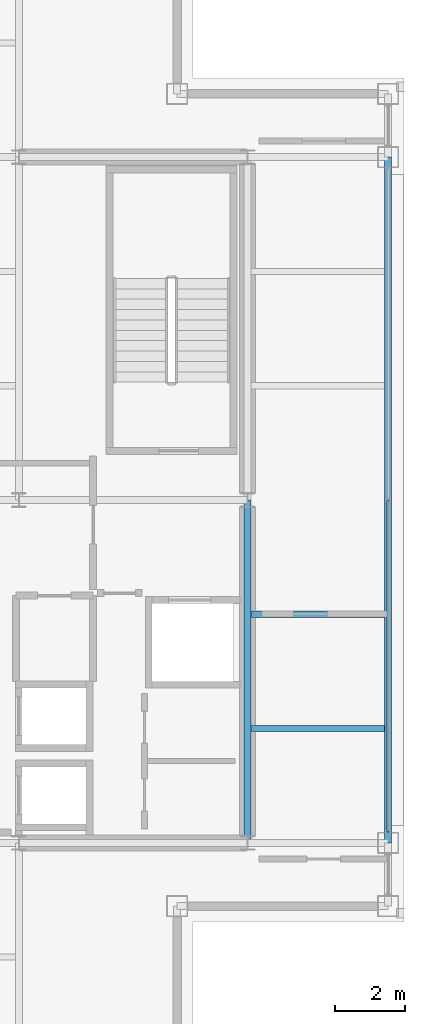
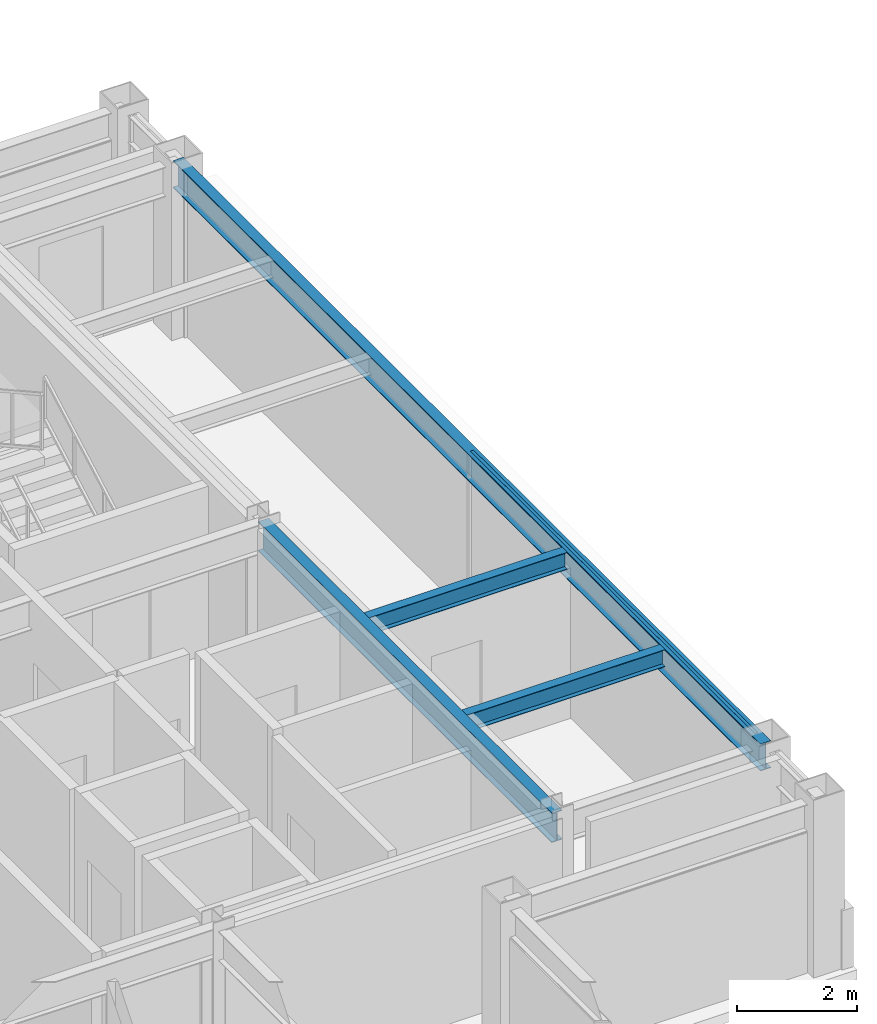
# One storey, part 14 of 24: 4 beams, 1 member, 1 element without a shape of its own.
"""IFC4 building model written with IfcOpenShell, lengths in metres."""

from ifc_helpers import new_model, si_unit, direction, frame, origin, origin_2d, place, context, subcontext, project, spatial, hollow_rectangle, i_section, extrude, material, layer, layer_set, material_profile, profile_set, type_object, element, aggregate, save


model = new_model("IFC4")

# Units and contexts
model_context = context("Model", 3, precision=1e-05, world=origin(), true_north=direction((0.0, 1.0)))
body_context = subcontext(model_context, "Body", "Model", "MODEL_VIEW")
ifc_project = project(units=[si_unit("LENGTHUNIT", "METRE"), si_unit("AREAUNIT", "SQUARE_METRE"), si_unit("VOLUMEUNIT", "CUBIC_METRE"), si_unit("PLANEANGLEUNIT", "RADIAN"), si_unit("MASSUNIT", "GRAM", prefix="KILO")], contexts=[model_context])

# Site, building, storey
site_placement = place(None, origin())
site = spatial("IfcSite", under=ifc_project, at=site_placement, CompositionType="ELEMENT")
building_placement = place(site_placement, origin())
building = spatial("IfcBuilding", under=site, at=building_placement, Name="Brelmoor Portico Tower", CompositionType="ELEMENT")
storey_placement = place(building_placement, frame((0.0, 0.0, 254.39990234375)))
storey = spatial("IfcBuildingStorey", under=building, at=storey_placement, Name="L67", CompositionType="ELEMENT", Elevation=254.39990234375)

# Beams
ifc_material_1 = material(Name="Steel Q355B", Category="steel")
ifc_material_profile_1 = material_profile(ifc_material_1, i_section(OverallWidth=0.175048828125, OverallDepth=0.35009765625, WebThickness=0.007080078125, FlangeThickness=0.010986328125, at=origin_2d()), Name="HN 350x175x7x11")
ifc_profile_set_1 = profile_set([ifc_material_profile_1], Name="Steel Q355B")
beam_type_1 = type_object("IfcBeamType", Name="BM-JS-350", PredefinedType="JOIST", material=ifc_profile_set_1)
for number, where, z_axis, x_axis, name in (
    (1, (14.64990234375, -6.5, 3.22509765625), (1.0, 0.0, 0.0), (0.0, 1.0, 0.0), "L67 Secondary Wing Joist JS-E11"),
    (2, (14.64990234375, -3.25, 3.22509765625), (1.0, 0.0, 0.0), (0.0, 1.0, 0.0), "L67 Secondary Wing Joist JS-E12"),
):
    element("IfcBeam", number, at=place(storey_placement, frame(where, z_axis=z_axis, x_axis=x_axis)), inside=storey, type_object=beam_type_1, Name=name, PredefinedType="JOIST", context=body_context, shape_type="SweptSolid", body=[
        extrude(i_section(OverallWidth=0.175048828125, OverallDepth=0.35009765625, WebThickness=0.007080078125, FlangeThickness=0.010986328125, at=origin_2d()), origin(), (0.0, 0.0, 1.0), 3.800048828125),
    ])
ifc_material_profile_2 = material_profile(ifc_material_1, i_section(OverallWidth=0.199951171875, OverallDepth=0.60009765625, WebThickness=0.010986328125, FlangeThickness=0.01708984375, at=origin_2d()), Name="HN 600x200x11x17")
ifc_profile_set_2 = profile_set([ifc_material_profile_2], Name="Steel Q355B")
beam_type_2 = type_object("IfcBeamType", Name="BM-PG-600", PredefinedType="BEAM", material=ifc_profile_set_2)
beam_1_placement = place(storey_placement, frame((14.550048828125, -9.75, 3.10009765625), z_axis=(0.0, 1.0, 0.0), x_axis=(-1.0, 0.0, 0.0)))
element("IfcBeam", 3, at=beam_1_placement, inside=storey, type_object=beam_type_2, Name="L67 Primary Floor Girder PG-09", PredefinedType="BEAM", context=body_context, shape_type="SweptSolid", body=[
    extrude(i_section(OverallWidth=0.199951171875, OverallDepth=0.60009765625, WebThickness=0.010986328125, FlangeThickness=0.01708984375, at=origin_2d()), origin(), (0.0, 0.0, 1.0), 9.75),
])
ifc_material_profile_3 = material_profile(ifc_material_1, i_section(OverallWidth=0.199951171875, OverallDepth=0.550048828125, WebThickness=0.010009765625, FlangeThickness=0.01611328125, at=origin_2d()), Name="HN 550x200x10x16")
ifc_profile_set_3 = profile_set([ifc_material_profile_3], Name="Steel Q355B")
beam_type_3 = type_object("IfcBeamType", Name="BM-SP-550", PredefinedType="SPANDREL", material=ifc_profile_set_3)
beam_2_placement = place(storey_placement, frame((18.550048828125, -9.75, 3.125), z_axis=(0.0, 1.0, 0.0), x_axis=(-1.0, 0.0, 0.0)))
element("IfcBeam", 4, at=beam_2_placement, inside=storey, type_object=beam_type_3, Name="L67 Perimeter Spandrel Beam SP-19", PredefinedType="SPANDREL", context=body_context, shape_type="SweptSolid", body=[
    extrude(i_section(OverallWidth=0.199951171875, OverallDepth=0.550048828125, WebThickness=0.010009765625, FlangeThickness=0.01611328125, at=origin_2d()), origin(), (0.0, 0.0, 1.0), 19.5),
])

# Curtain wall, member
ifc_material_2 = material(Name="Anodised Aluminium Alloy 6063-T6", Category="aluminium")
ifc_layer = layer(ifc_material_2, 0.179931640625)
ifc_layer_set = layer_set([ifc_layer], Name="Anodised Aluminium Alloy 6063-T6")
curtain_wall_type = type_object("IfcCurtainWallType", Name="CW-TOWER-Z4-XB", PredefinedType="NOTDEFINED", material=ifc_layer_set)
curtain_wall_placement = place(storey_placement, origin())
curtain_wall = element("IfcCurtainWall", 5, at=curtain_wall_placement, inside=storey, type_object=curtain_wall_type, Name="L67 Curtain Wall CW-L67-04-2", PredefinedType="NOTDEFINED")
ifc_material_profile_4 = material_profile(ifc_material_2, hollow_rectangle(XDim=0.06005859375, YDim=0.125, WallThickness=0.00341796875, at=origin_2d()), Name="ALU TRANSOM 60x125")
ifc_profile_set_4 = profile_set([ifc_material_profile_4], Name="Anodised Aluminium Alloy 6063-T6")
member_type = type_object("IfcMemberType", Name="MB-CW-TRAN-125", PredefinedType="USERDEFINED", material=ifc_profile_set_4)
member_placement = place(storey_placement, frame((18.550048828125, -9.43994140625, 3.337646484375), z_axis=(0.0, 1.0, 0.0), x_axis=(-1.0, 0.0, 0.0)))
member = element("IfcMember", 6, at=member_placement, type_object=member_type, Name="CW-L67-04-2 Transom 1-00", ObjectType="TRANSOM", PredefinedType="USERDEFINED", context=body_context, shape_type="SweptSolid", body=[
    extrude(hollow_rectangle(XDim=0.06005859375, YDim=0.125, WallThickness=0.00341796875, at=origin_2d()), origin(), (0.0, 0.0, 1.0), 9.43994140625),
])
aggregate(curtain_wall, [member])

save(model, "model.ifc")
